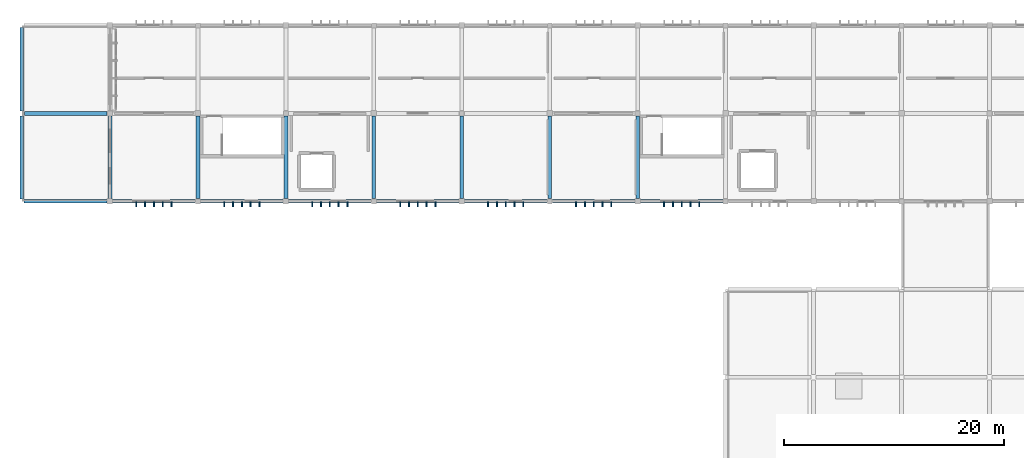
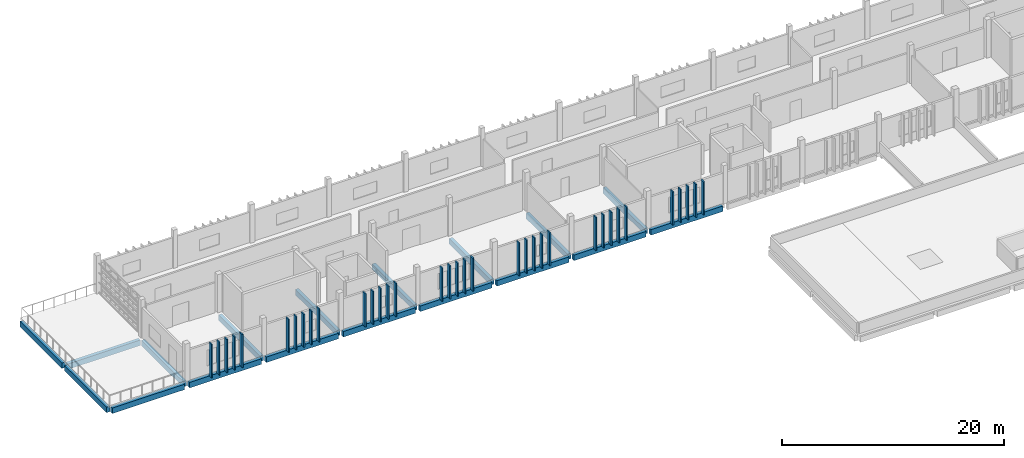
# One storey, part 2 of 16: 35 members, 18 beams.
"""IFC4 building model written with IfcOpenShell, lengths in metres."""

from ifc_helpers import new_model, si_unit, direction, frame, origin, origin_2d, place, context, subcontext, project, spatial, rectangle, extrude, material, material_profile, profile_set, type_object, element, save


model = new_model("IFC4")

# Units and contexts
model_context = context("Model", 3, precision=1e-05, world=origin(), true_north=direction((0.0, 1.0)))
body_context = subcontext(model_context, "Body", "Model", "MODEL_VIEW")
ifc_project = project(units=[si_unit("LENGTHUNIT", "METRE"), si_unit("AREAUNIT", "SQUARE_METRE"), si_unit("VOLUMEUNIT", "CUBIC_METRE"), si_unit("PLANEANGLEUNIT", "RADIAN"), si_unit("MASSUNIT", "GRAM", prefix="KILO")], contexts=[model_context])

# Site, building, storey
site_placement = place(None, origin())
site = spatial("IfcSite", under=ifc_project, at=site_placement, CompositionType="ELEMENT")
building_placement = place(site_placement, origin())
building = spatial("IfcBuilding", under=site, at=building_placement, Name="Jelvoka-Kovrelna Polytechnic", CompositionType="ELEMENT")
storey_placement = place(building_placement, frame((0.0, 0.0, 30.60009765625)))
storey = spatial("IfcBuildingStorey", under=building, at=storey_placement, Name="L08", CompositionType="ELEMENT", Elevation=30.60009765625)

# Beams
ifc_material_1 = material(Name="Concrete C35/45", Category="concrete")
ifc_material_profile_1 = material_profile(ifc_material_1, rectangle(XDim=0.35009765625, YDim=0.60009765625, at=origin_2d()), Name="RC 350x600")
ifc_profile_set_1 = profile_set([ifc_material_profile_1], Name="Concrete C35/45")
beam_type_1 = type_object("IfcBeamType", Name="Beam_RC_350x600", PredefinedType="BEAM", material=ifc_profile_set_1)
for number, where, z_axis, x_axis, name in (
    (1, (72.0, 56.2548828125, -0.525146484375), (0.0, 1.0, 0.0), (-1.0, 0.0, 0.0), "L08 beam 1927"),
    (2, (80.0, 56.2548828125, -0.525146484375), (0.0, 1.0, 0.0), (-1.0, 0.0, 0.0), "L08 beam 1929"),
    (3, (88.0, 56.2548828125, -0.525146484375), (0.0, 1.0, 0.0), (-1.0, 0.0, 0.0), "L08 beam 1931"),
    (4, (96.0, 56.2548828125, -0.525146484375), (0.0, 1.0, 0.0), (-1.0, 0.0, 0.0), "L08 beam 1933"),
    (5, (104.0, 56.2548828125, -0.525146484375), (0.0, 1.0, 0.0), (-1.0, 0.0, 0.0), "L08 beam 1935"),
    (6, (112.0, 56.2548828125, -0.525146484375), (0.0, 1.0, 0.0), (-1.0, 0.0, 0.0), "L08 beam 1937"),
    (7, (120.0, 56.2548828125, -0.525146484375), (0.0, 1.0, 0.0), (-1.0, 0.0, 0.0), "L08 beam 1964"),
):
    element("IfcBeam", number, at=place(storey_placement, frame(where, z_axis=z_axis, x_axis=x_axis)), inside=storey, type_object=beam_type_1, Name=name, PredefinedType="BEAM", context=body_context, shape_type="SweptSolid", body=[
        extrude(rectangle(XDim=0.35009765625, YDim=0.60009765625, at=origin_2d()), origin(), (0.0, 0.0, 1.0), 7.490234375),
    ])
beam_1_placement = place(storey_placement, frame((64.22998046875, 64.0, -0.52001953125), z_axis=(1.0, 0.0, 0.0), x_axis=(0.0, 1.0, 0.0)))
element("IfcBeam", 8, at=beam_1_placement, inside=storey, type_object=beam_type_1, Name="L08 beam 1983", PredefinedType="BEAM", context=body_context, shape_type="SweptSolid", body=[
    extrude(rectangle(XDim=0.35009765625, YDim=0.60009765625, at=origin_2d()), origin(), (0.0, 0.0, 1.0), 7.51513671875),
])
for number, where, z_axis, x_axis, name in (
    (9, (64.0, 56.205078125, -0.52001953125), (0.0, 1.0, 0.0), (-1.0, 0.0, 0.0), "L08 beam 1985"),
    (10, (64.0, 64.22998046875, -0.52001953125), (0.0, 1.0, 0.0), (-1.0, 0.0, 0.0), "L08 beam 1986"),
):
    element("IfcBeam", number, at=place(storey_placement, frame(where, z_axis=z_axis, x_axis=x_axis)), inside=storey, type_object=beam_type_1, Name=name, PredefinedType="BEAM", context=body_context, shape_type="SweptSolid", body=[
        extrude(rectangle(XDim=0.35009765625, YDim=0.60009765625, at=origin_2d()), origin(), (0.0, 0.0, 1.0), 7.56494140625),
    ])

# Members
ifc_material_2 = material(Name="Precast concrete C40/50", Category="concrete")
ifc_material_profile_2 = material_profile(ifc_material_2, rectangle(XDim=0.1201171875, YDim=0.449951171875, at=origin_2d()), Name="PC 120x450")
ifc_profile_set_2 = profile_set([ifc_material_profile_2], Name="Precast concrete C40/50")
member_type = type_object("IfcMemberType", Name="Louvre_Fin_120x450", PredefinedType="USERDEFINED", material=ifc_profile_set_2)
for number, where, z_axis, x_axis, name in (
    (11, (74.39990234375, 55.735107421875, -0.27001953125), (0.0, 0.0, 1.0), (1.0, 0.0, 0.0), "L08 B3 south vertical solar louvre fin 2226"),
    (12, (75.199951171875, 55.735107421875, -0.27001953125), (0.0, 0.0, 1.0), (1.0, 0.0, 0.0), "L08 B3 south vertical solar louvre fin 2227"),
    (13, (76.0, 55.735107421875, -0.27001953125), (0.0, 0.0, 1.0), (1.0, 0.0, 0.0), "L08 B3 south vertical solar louvre fin 2228"),
    (14, (76.800048828125, 55.735107421875, -0.27001953125), (0.0, 0.0, 1.0), (1.0, 0.0, 0.0), "L08 B3 south vertical solar louvre fin 2229"),
    (15, (77.60009765625, 55.735107421875, -0.27001953125), (0.0, 0.0, 1.0), (1.0, 0.0, 0.0), "L08 B3 south vertical solar louvre fin 2230"),
    (16, (82.39990234375, 55.735107421875, -0.27001953125), (0.0, 0.0, 1.0), (1.0, 0.0, 0.0), "L08 B3 south vertical solar louvre fin 2236"),
    (17, (83.199951171875, 55.735107421875, -0.27001953125), (0.0, 0.0, 1.0), (1.0, 0.0, 0.0), "L08 B3 south vertical solar louvre fin 2237"),
    (18, (84.0, 55.735107421875, -0.27001953125), (0.0, 0.0, 1.0), (1.0, 0.0, 0.0), "L08 B3 south vertical solar louvre fin 2238"),
    (19, (84.800048828125, 55.735107421875, -0.27001953125), (0.0, 0.0, 1.0), (1.0, 0.0, 0.0), "L08 B3 south vertical solar louvre fin 2239"),
    (20, (85.60009765625, 55.735107421875, -0.27001953125), (0.0, 0.0, 1.0), (1.0, 0.0, 0.0), "L08 B3 south vertical solar louvre fin 2240"),
    (21, (90.39990234375, 55.735107421875, -0.27001953125), (0.0, 0.0, 1.0), (1.0, 0.0, 0.0), "L08 B3 south vertical solar louvre fin 2246"),
    (22, (91.199951171875, 55.735107421875, -0.27001953125), (0.0, 0.0, 1.0), (1.0, 0.0, 0.0), "L08 B3 south vertical solar louvre fin 2247"),
    (23, (92.0, 55.735107421875, -0.27001953125), (0.0, 0.0, 1.0), (1.0, 0.0, 0.0), "L08 B3 south vertical solar louvre fin 2248"),
    (24, (92.800048828125, 55.735107421875, -0.27001953125), (0.0, 0.0, 1.0), (1.0, 0.0, 0.0), "L08 B3 south vertical solar louvre fin 2249"),
    (25, (93.60009765625, 55.735107421875, -0.27001953125), (0.0, 0.0, 1.0), (1.0, 0.0, 0.0), "L08 B3 south vertical solar louvre fin 2250"),
    (26, (98.39990234375, 55.735107421875, -0.27001953125), (0.0, 0.0, 1.0), (1.0, 0.0, 0.0), "L08 B3 south vertical solar louvre fin 2256"),
    (27, (99.199951171875, 55.735107421875, -0.27001953125), (0.0, 0.0, 1.0), (1.0, 0.0, 0.0), "L08 B3 south vertical solar louvre fin 2257"),
    (28, (100.0, 55.735107421875, -0.27001953125), (0.0, 0.0, 1.0), (1.0, 0.0, 0.0), "L08 B3 south vertical solar louvre fin 2258"),
    (29, (100.800048828125, 55.735107421875, -0.27001953125), (0.0, 0.0, 1.0), (1.0, 0.0, 0.0), "L08 B3 south vertical solar louvre fin 2259"),
    (30, (101.60009765625, 55.735107421875, -0.27001953125), (0.0, 0.0, 1.0), (1.0, 0.0, 0.0), "L08 B3 south vertical solar louvre fin 2260"),
    (31, (106.39990234375, 55.735107421875, -0.27001953125), (0.0, 0.0, 1.0), (1.0, 0.0, 0.0), "L08 B3 south vertical solar louvre fin 2266"),
    (32, (107.199951171875, 55.735107421875, -0.27001953125), (0.0, 0.0, 1.0), (1.0, 0.0, 0.0), "L08 B3 south vertical solar louvre fin 2267"),
    (33, (108.0, 55.735107421875, -0.27001953125), (0.0, 0.0, 1.0), (1.0, 0.0, 0.0), "L08 B3 south vertical solar louvre fin 2268"),
    (34, (108.800048828125, 55.735107421875, -0.27001953125), (0.0, 0.0, 1.0), (1.0, 0.0, 0.0), "L08 B3 south vertical solar louvre fin 2269"),
    (35, (109.60009765625, 55.735107421875, -0.27001953125), (0.0, 0.0, 1.0), (1.0, 0.0, 0.0), "L08 B3 south vertical solar louvre fin 2270"),
    (36, (114.39990234375, 55.735107421875, -0.27001953125), (0.0, 0.0, 1.0), (1.0, 0.0, 0.0), "L08 B3 south vertical solar louvre fin 2276"),
    (37, (115.199951171875, 55.735107421875, -0.27001953125), (0.0, 0.0, 1.0), (1.0, 0.0, 0.0), "L08 B3 south vertical solar louvre fin 2277"),
    (38, (116.0, 55.735107421875, -0.27001953125), (0.0, 0.0, 1.0), (1.0, 0.0, 0.0), "L08 B3 south vertical solar louvre fin 2278"),
    (39, (116.800048828125, 55.735107421875, -0.27001953125), (0.0, 0.0, 1.0), (1.0, 0.0, 0.0), "L08 B3 south vertical solar louvre fin 2279"),
    (40, (117.60009765625, 55.735107421875, -0.27001953125), (0.0, 0.0, 1.0), (1.0, 0.0, 0.0), "L08 B3 south vertical solar louvre fin 2280"),
    (41, (122.39990234375, 55.735107421875, -0.27001953125), (0.0, 0.0, 1.0), (1.0, 0.0, 0.0), "L08 B3 south vertical solar louvre fin 2286"),
    (42, (123.199951171875, 55.735107421875, -0.27001953125), (0.0, 0.0, 1.0), (1.0, 0.0, 0.0), "L08 B3 south vertical solar louvre fin 2287"),
    (43, (124.0, 55.735107421875, -0.27001953125), (0.0, 0.0, 1.0), (1.0, 0.0, 0.0), "L08 B3 south vertical solar louvre fin 2288"),
    (44, (124.800048828125, 55.735107421875, -0.27001953125), (0.0, 0.0, 1.0), (1.0, 0.0, 0.0), "L08 B3 south vertical solar louvre fin 2289"),
    (45, (125.60009765625, 55.735107421875, -0.27001953125), (0.0, 0.0, 1.0), (1.0, 0.0, 0.0), "L08 B3 south vertical solar louvre fin 2290"),
):
    element("IfcMember", number, at=place(storey_placement, frame(where, z_axis=z_axis, x_axis=x_axis)), inside=storey, type_object=member_type, Name=name, ObjectType="SUNSHADE", PredefinedType="USERDEFINED", context=body_context, shape_type="SweptSolid", body=[
        extrude(rectangle(XDim=0.1201171875, YDim=0.449951171875, at=origin_2d()), origin(), (0.0, 0.0, 1.0), 3.655029296875),
    ])

# Beams
ifc_material_3 = material(Name="Concrete C40/50", Category="concrete")
ifc_material_profile_3 = material_profile(ifc_material_3, rectangle(XDim=0.35009765625, YDim=0.60009765625, at=origin_2d()), Name="RC 350x600")
ifc_profile_set_3 = profile_set([ifc_material_profile_3], Name="Concrete C40/50")
beam_type_2 = type_object("IfcBeamType", Name="Spandrel_RC_350x600", PredefinedType="SPANDREL", material=ifc_profile_set_3)
for number, where, z_axis, x_axis, name in (
    (46, (72.2548828125, 56.0, -0.525146484375), (1.0, 0.0, 0.0), (0.0, 1.0, 0.0), "L08 beam 1913"),
    (47, (80.2548828125, 56.0, -0.525146484375), (1.0, 0.0, 0.0), (0.0, 1.0, 0.0), "L08 beam 1914"),
    (48, (88.2548828125, 56.0, -0.525146484375), (1.0, 0.0, 0.0), (0.0, 1.0, 0.0), "L08 beam 1915"),
    (49, (96.2548828125, 56.0, -0.525146484375), (1.0, 0.0, 0.0), (0.0, 1.0, 0.0), "L08 beam 1916"),
    (50, (104.2548828125, 56.0, -0.525146484375), (1.0, 0.0, 0.0), (0.0, 1.0, 0.0), "L08 beam 1917"),
    (51, (112.2548828125, 56.0, -0.525146484375), (1.0, 0.0, 0.0), (0.0, 1.0, 0.0), "L08 beam 1939"),
    (52, (120.2548828125, 56.0, -0.525146484375), (1.0, 0.0, 0.0), (0.0, 1.0, 0.0), "L08 beam 1940"),
):
    element("IfcBeam", number, at=place(storey_placement, frame(where, z_axis=z_axis, x_axis=x_axis)), inside=storey, type_object=beam_type_2, Name=name, PredefinedType="SPANDREL", context=body_context, shape_type="SweptSolid", body=[
        extrude(rectangle(XDim=0.35009765625, YDim=0.60009765625, at=origin_2d()), origin(), (0.0, 0.0, 1.0), 7.490234375),
    ])
beam_2_placement = place(storey_placement, frame((64.205078125, 56.0, -0.52001953125), z_axis=(1.0, 0.0, 0.0), x_axis=(0.0, 1.0, 0.0)))
element("IfcBeam", 53, at=beam_2_placement, inside=storey, type_object=beam_type_2, Name="L08 beam 1982", PredefinedType="SPANDREL", context=body_context, shape_type="SweptSolid", body=[
    extrude(rectangle(XDim=0.35009765625, YDim=0.60009765625, at=origin_2d()), origin(), (0.0, 0.0, 1.0), 7.5400390625),
])

save(model, "model.ifc")
